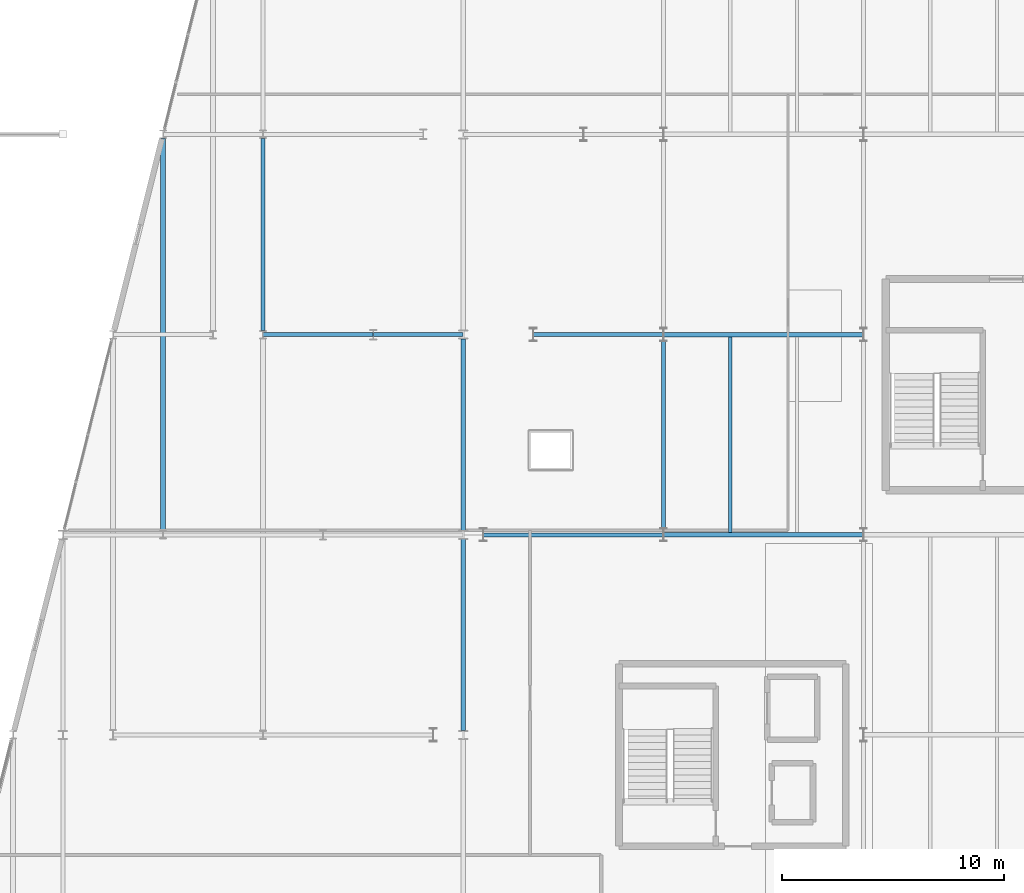
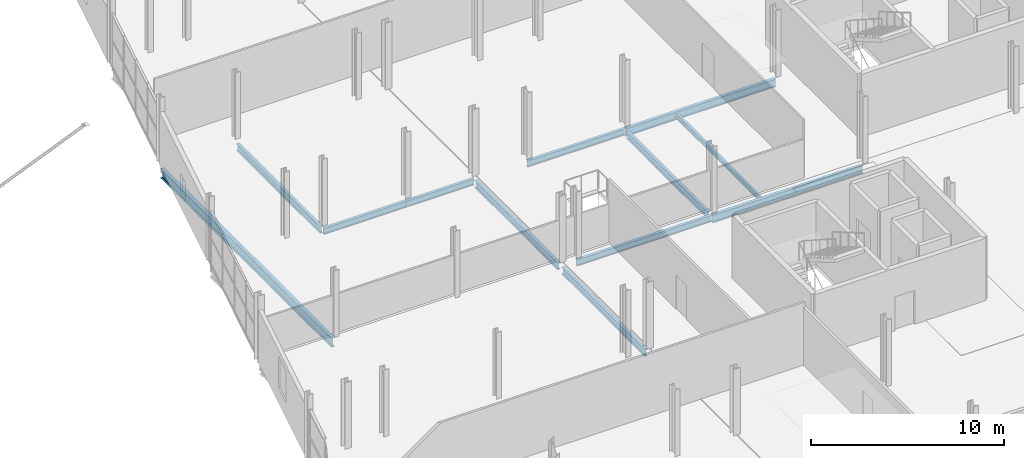
# One storey, part 94 of 140: 12 beams.
"""IFC4 building model written with IfcOpenShell, lengths in metres."""

from ifc_helpers import new_model, si_unit, direction, frame, origin, origin_2d, place, context, subcontext, project, spatial, i_section, extrude, material, material_profile, profile_set, type_object, element, save


model = new_model("IFC4")

# Units and contexts
model_context = context("Model", 3, precision=1e-05, world=origin(), true_north=direction((0.0, 1.0)))
body_context = subcontext(model_context, "Body", "Model", "MODEL_VIEW")
ifc_project = project(units=[si_unit("LENGTHUNIT", "METRE"), si_unit("AREAUNIT", "SQUARE_METRE"), si_unit("VOLUMEUNIT", "CUBIC_METRE"), si_unit("PLANEANGLEUNIT", "RADIAN"), si_unit("MASSUNIT", "GRAM", prefix="KILO")], contexts=[model_context])

# Site, building, storey
site_placement = place(None, origin())
site = spatial("IfcSite", under=ifc_project, at=site_placement, CompositionType="ELEMENT")
building_placement = place(site_placement, origin())
building = spatial("IfcBuilding", under=site, at=building_placement, Name="Deido Ridge Mobility Hub", CompositionType="ELEMENT")
storey_placement = place(building_placement, origin())
storey = spatial("IfcBuildingStorey", under=building, at=storey_placement, Name="L00", CompositionType="ELEMENT", Elevation=0.0)

# Beams
ifc_material = material(Name="Steel S355J2 EN 10025-2", Category="steel")
ifc_material_profile_1 = material_profile(ifc_material, i_section(OverallWidth=0.179931640625, OverallDepth=0.39990234375, WebThickness=0.008544921875, FlangeThickness=0.013427734375, FilletRadius=0.02099609375, at=origin_2d()), Name="IPE 400")
ifc_profile_set_1 = profile_set([ifc_material_profile_1], Name="Steel S355J2 EN 10025-2")
beam_type_1 = type_object("IfcBeamType", Name="BM-IPE400", PredefinedType="BEAM", material=ifc_profile_set_1)
beam_1_placement = place(storey_placement, frame((144.90771484375, 36.0, -0.4599609375), z_axis=(1.0, 0.0, 0.0), x_axis=(0.0, 1.0, 0.0)))
element("IfcBeam", 1, at=beam_1_placement, inside=storey, type_object=beam_type_1, Name="Floor beam B5", PredefinedType="BEAM", context=body_context, shape_type="SweptSolid", body=[
    extrude(i_section(OverallWidth=0.179931640625, OverallDepth=0.39990234375, WebThickness=0.008544921875, FlangeThickness=0.013427734375, FilletRadius=0.02099609375, at=origin_2d()), origin(), (0.0, 0.0, 1.0), 8.08447265625),
])
beam_2_placement = place(storey_placement, frame((135.006103515625, 45.0, -0.4599609375), z_axis=(1.0, 0.0, 0.0), x_axis=(0.0, 1.0, 0.0)))
element("IfcBeam", 2, at=beam_2_placement, inside=storey, type_object=beam_type_1, Name="Floor beam B5", PredefinedType="BEAM", context=body_context, shape_type="SweptSolid", body=[
    extrude(i_section(OverallWidth=0.179931640625, OverallDepth=0.39990234375, WebThickness=0.008544921875, FlangeThickness=0.013427734375, FilletRadius=0.02099609375, at=origin_2d()), origin(), (0.0, 0.0, 1.0), 4.93701171875),
])
beam_3_placement = place(storey_placement, frame((139.95703125, 45.0, -0.4599609375), z_axis=(1.0, 0.0, 0.0), x_axis=(0.0, 1.0, 0.0)))
element("IfcBeam", 3, at=beam_3_placement, inside=storey, type_object=beam_type_1, Name="Floor beam B5", PredefinedType="BEAM", context=body_context, shape_type="SweptSolid", body=[
    extrude(i_section(OverallWidth=0.179931640625, OverallDepth=0.39990234375, WebThickness=0.008544921875, FlangeThickness=0.013427734375, FilletRadius=0.02099609375, at=origin_2d()), origin(), (0.0, 0.0, 1.0), 4.0341796875),
])
beam_4_placement = place(storey_placement, frame((147.15771484375, 45.0, -0.4599609375), z_axis=(1.0, 0.0, 0.0), x_axis=(0.0, 1.0, 0.0)))
element("IfcBeam", 4, at=beam_4_placement, inside=storey, type_object=beam_type_1, Name="Floor beam B5", PredefinedType="BEAM", context=body_context, shape_type="SweptSolid", body=[
    extrude(i_section(OverallWidth=0.179931640625, OverallDepth=0.39990234375, WebThickness=0.008544921875, FlangeThickness=0.013427734375, FilletRadius=0.02099609375, at=origin_2d()), origin(), (0.0, 0.0, 1.0), 5.83447265625),
])
ifc_material_profile_2 = material_profile(ifc_material, i_section(OverallWidth=0.18994140625, OverallDepth=0.449951171875, WebThickness=0.009521484375, FlangeThickness=0.0146484375, FilletRadius=0.02099609375, at=origin_2d()), Name="IPE 450")
ifc_profile_set_2 = profile_set([ifc_material_profile_2], Name="Steel S355J2 EN 10025-2")
beam_type_2 = type_object("IfcBeamType", Name="BM-IPE450", PredefinedType="BEAM", material=ifc_profile_set_2)
beam_5_placement = place(storey_placement, frame((135.0, 45.179931640625, -0.485107421875), z_axis=(0.0, 1.0, 0.0), x_axis=(-1.0, 0.0, 0.0)))
element("IfcBeam", 5, at=beam_5_placement, inside=storey, type_object=beam_type_2, Name="Floor beam B4", PredefinedType="BEAM", context=body_context, shape_type="SweptSolid", body=[
    extrude(i_section(OverallWidth=0.18994140625, OverallDepth=0.449951171875, WebThickness=0.009521484375, FlangeThickness=0.0146484375, FilletRadius=0.02099609375, at=origin_2d()), origin(), (0.0, 0.0, 1.0), 8.64013671875),
])
for number, where, z_axis, x_axis, name in (
    (6, (144.0, 27.196533203125, -0.485107421875), (0.0, 1.0, 0.0), (-1.0, 0.0, 0.0), "Floor beam B4"),
    (7, (144.0, 36.196533203125, -0.485107421875), (0.0, 1.0, 0.0), (-1.0, 0.0, 0.0), "Floor beam B4"),
):
    element("IfcBeam", number, at=place(storey_placement, frame(where, z_axis=z_axis, x_axis=x_axis)), inside=storey, type_object=beam_type_2, Name=name, PredefinedType="BEAM", context=body_context, shape_type="SweptSolid", body=[
        extrude(i_section(OverallWidth=0.18994140625, OverallDepth=0.449951171875, WebThickness=0.009521484375, FlangeThickness=0.0146484375, FilletRadius=0.02099609375, at=origin_2d()), origin(), (0.0, 0.0, 1.0), 8.60693359375),
    ])
beam_6_placement = place(storey_placement, frame((153.0, 36.300048828125, -0.485107421875), z_axis=(0.0, 1.0, 0.0), x_axis=(-1.0, 0.0, 0.0)))
element("IfcBeam", 8, at=beam_6_placement, inside=storey, type_object=beam_type_2, Name="Floor beam B4", PredefinedType="BEAM", context=body_context, shape_type="SweptSolid", body=[
    extrude(i_section(OverallWidth=0.18994140625, OverallDepth=0.449951171875, WebThickness=0.009521484375, FlangeThickness=0.0146484375, FilletRadius=0.02099609375, at=origin_2d()), origin(), (0.0, 0.0, 1.0), 8.39990234375),
])
ifc_material_profile_3 = material_profile(ifc_material, i_section(OverallWidth=0.199951171875, OverallDepth=0.5, WebThickness=0.01025390625, FlangeThickness=0.01611328125, FilletRadius=0.02099609375, at=origin_2d()), Name="IPE 500")
ifc_profile_set_3 = profile_set([ifc_material_profile_3], Name="Steel S355J2 EN 10025-2")
beam_type_3 = type_object("IfcBeamType", Name="BM-IPE500", PredefinedType="BEAM", material=ifc_profile_set_3)
for number, where, z_axis, x_axis, name in (
    (9, (153.0078125, 36.0, -0.510009765625), (1.0, 0.0, 0.0), (0.0, 1.0, 0.0), "Floor beam B3"),
    (10, (153.0078125, 45.0, -0.510009765625), (1.0, 0.0, 0.0), (0.0, 1.0, 0.0), "Floor beam B3"),
):
    element("IfcBeam", number, at=place(storey_placement, frame(where, z_axis=z_axis, x_axis=x_axis)), inside=storey, type_object=beam_type_3, Name=name, PredefinedType="BEAM", context=body_context, shape_type="SweptSolid", body=[
        extrude(i_section(OverallWidth=0.199951171875, OverallDepth=0.5, WebThickness=0.01025390625, FlangeThickness=0.01611328125, FilletRadius=0.02099609375, at=origin_2d()), origin(), (0.0, 0.0, 1.0), 8.984375),
    ])
ifc_material_profile_4 = material_profile(ifc_material, i_section(OverallWidth=0.219970703125, OverallDepth=0.60009765625, WebThickness=0.011962890625, FlangeThickness=0.01904296875, FilletRadius=0.02392578125, at=origin_2d()), Name="IPE 600")
ifc_profile_set_4 = profile_set([ifc_material_profile_4], Name="Steel S355J2 EN 10025-2")
beam_type_4 = type_object("IfcBeamType", Name="BM-IPE600", PredefinedType="BEAM", material=ifc_profile_set_4)
beam_7_placement = place(storey_placement, frame((130.5, 36.179931640625, -0.56005859375), z_axis=(0.0, 1.0, 0.0), x_axis=(-1.0, 0.0, 0.0)))
element("IfcBeam", 11, at=beam_7_placement, inside=storey, type_object=beam_type_4, Name="Floor beam B1", PredefinedType="BEAM", context=body_context, shape_type="SweptSolid", body=[
    extrude(i_section(OverallWidth=0.219970703125, OverallDepth=0.60009765625, WebThickness=0.011962890625, FlangeThickness=0.01904296875, FilletRadius=0.02392578125, at=origin_2d()), origin(), (0.0, 0.0, 1.0), 17.64013671875),
])
ifc_material_profile_5 = material_profile(ifc_material, i_section(OverallWidth=0.14990234375, OverallDepth=0.300048828125, WebThickness=0.007080078125, FlangeThickness=0.0107421875, FilletRadius=0.014892578125, at=origin_2d()), Name="IPE 300")
ifc_profile_set_5 = profile_set([ifc_material_profile_5], Name="Steel S355J2 EN 10025-2")
beam_type_5 = type_object("IfcBeamType", Name="JST-IPE300", PredefinedType="JOIST", material=ifc_profile_set_5)
beam_8_placement = place(storey_placement, frame((156.0, 36.10009765625, -0.409912109375), z_axis=(0.0, 1.0, 0.0), x_axis=(-1.0, 0.0, 0.0)))
element("IfcBeam", 12, at=beam_8_placement, inside=storey, type_object=beam_type_5, Name="Composite joist J3", PredefinedType="JOIST", context=body_context, shape_type="SweptSolid", body=[
    extrude(i_section(OverallWidth=0.14990234375, OverallDepth=0.300048828125, WebThickness=0.007080078125, FlangeThickness=0.0107421875, FilletRadius=0.014892578125, at=origin_2d()), origin(), (0.0, 0.0, 1.0), 8.7998046875),
])

save(model, "model.ifc")
